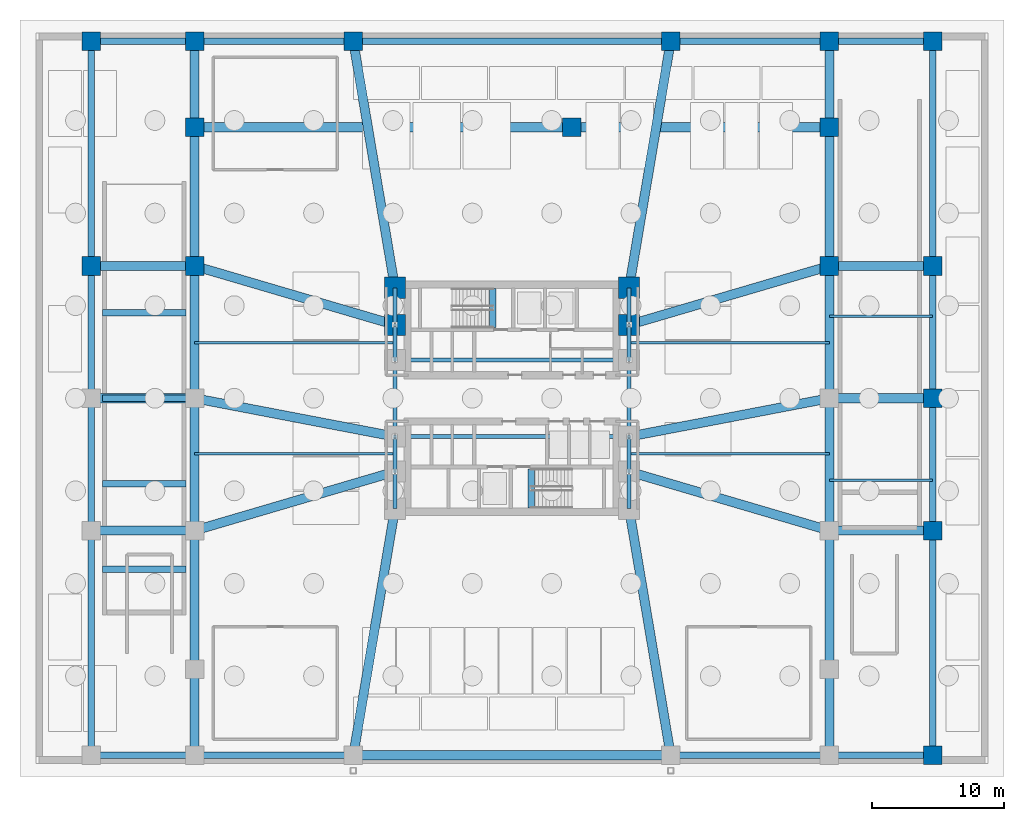
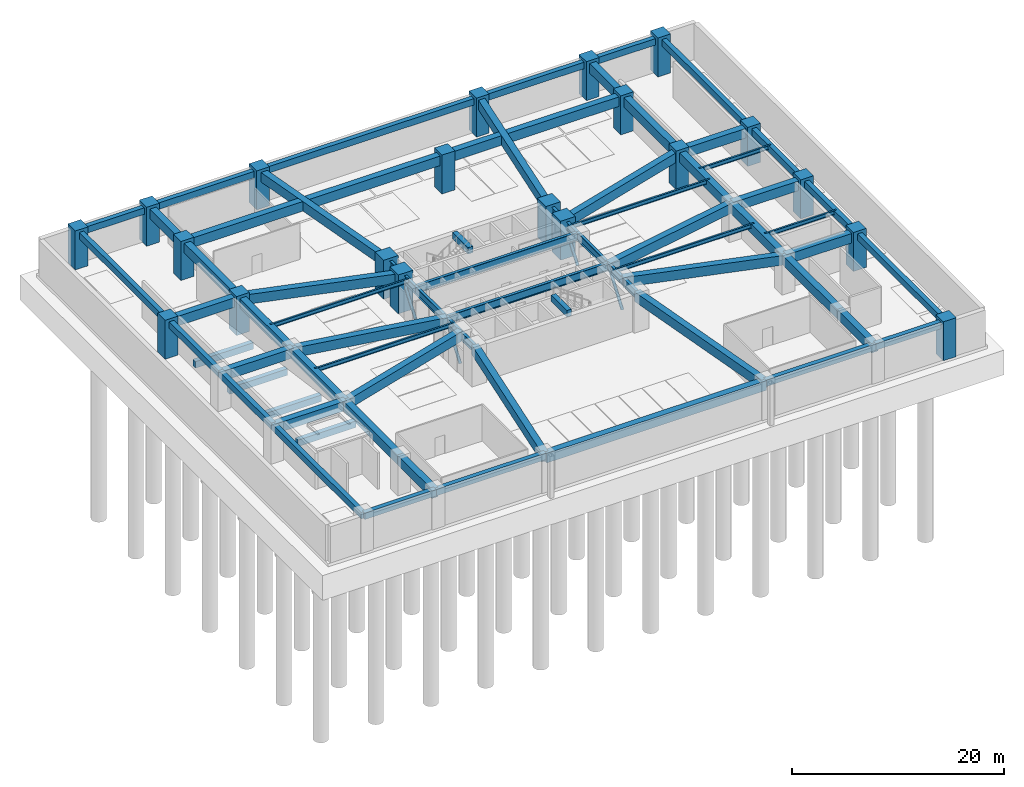
# One storey, part 3 of 14: 72 beams, 20 columns, 4 members.
"""IFC4 building model written with IfcOpenShell, lengths in metres."""

from ifc_helpers import new_model, si_unit, direction, frame, origin, origin_2d, place, context, subcontext, project, spatial, rectangle, hollow_circle, i_section, extrude, material, material_profile, profile_set, type_object, element, save


model = new_model("IFC4")

# Units and contexts
model_context = context("Model", 3, precision=1e-05, world=origin(), true_north=direction((0.0, 1.0)))
body_context = subcontext(model_context, "Body", "Model", "MODEL_VIEW")
ifc_project = project(units=[si_unit("LENGTHUNIT", "METRE"), si_unit("AREAUNIT", "SQUARE_METRE"), si_unit("VOLUMEUNIT", "CUBIC_METRE"), si_unit("PLANEANGLEUNIT", "RADIAN"), si_unit("MASSUNIT", "GRAM", prefix="KILO")], contexts=[model_context])

# Site, building, storey
site_placement = place(None, origin())
site = spatial("IfcSite", under=ifc_project, at=site_placement, CompositionType="ELEMENT")
building_placement = place(site_placement, origin())
building = spatial("IfcBuilding", under=site, at=building_placement, Name="Solmarez Civic Tower", CompositionType="ELEMENT")
storey_placement = place(building_placement, frame((0.0, 0.0, -9.0)))
storey = spatial("IfcBuildingStorey", under=building, at=storey_placement, Name="B2", CompositionType="ELEMENT", Elevation=-9.0)

# Columns
ifc_material_1 = material(Name="Concrete C60/75", Category="concrete")
ifc_material_profile_1 = material_profile(ifc_material_1, rectangle(XDim=1.39990234375, YDim=1.39990234375, at=origin_2d()), Name="RC1400X1400")
ifc_profile_set_1 = profile_set([ifc_material_profile_1], Name="Concrete C60/75")
column_type_1 = type_object("IfcColumnType", Name="COL-RC1400", PredefinedType="COLUMN", material=ifc_profile_set_1)
for number, where, z_axis, x_axis, name in (
    (1, (31.800048828125, -27.0, 0.0), (0.0, 0.0, 1.0), (1.0, 0.0, 0.0), "B2 Structural Column PC06"),
    (2, (-31.800048828125, 27.0, 0.0), (0.0, 0.0, 1.0), (1.0, 0.0, 0.0), "B2 Structural Column PC07"),
    (3, (-24.0, 27.0, 0.0), (0.0, 0.0, 1.0), (1.0, 0.0, 0.0), "B2 Structural Column PC08"),
    (4, (-12.0, 27.0, 0.0), (0.0, 0.0, 1.0), (1.0, 0.0, 0.0), "B2 Structural Column PC09"),
    (5, (12.0, 27.0, 0.0), (0.0, 0.0, 1.0), (1.0, 0.0, 0.0), "B2 Structural Column PC10"),
    (6, (24.0, 27.0, 0.0), (0.0, 0.0, 1.0), (1.0, 0.0, 0.0), "B2 Structural Column PC11"),
    (7, (31.800048828125, 27.0, 0.0), (0.0, 0.0, 1.0), (1.0, 0.0, 0.0), "B2 Structural Column PC12"),
    (8, (-31.800048828125, 10.0, 0.0), (0.0, 0.0, 1.0), (1.0, 0.0, 0.0), "B2 Structural Column PC15"),
    (9, (31.800048828125, -10.0, 0.0), (0.0, 0.0, 1.0), (1.0, 0.0, 0.0), "B2 Structural Column PC16"),
    (10, (31.800048828125, 0.0, 0.0), (0.0, 0.0, 1.0), (1.0, 0.0, 0.0), "B2 Structural Column PC17"),
    (11, (31.800048828125, 10.0, 0.0), (0.0, 0.0, 1.0), (1.0, 0.0, 0.0), "B2 Structural Column PC18"),
    (12, (-24.0, 10.0, 0.0), (0.0, 0.0, 1.0), (1.0, 0.0, 0.0), "B2 Structural Column PC21"),
    (13, (24.0, 10.0, 0.0), (0.0, 0.0, 1.0), (1.0, 0.0, 0.0), "B2 Structural Column PC24"),
    (14, (4.5, 20.5, 0.0), (0.0, 0.0, 1.0), (1.0, 0.0, 0.0), "B2 Structural Column PC25"),
    (15, (-24.0, 20.5, 0.0), (0.0, 0.0, 1.0), (1.0, 0.0, 0.0), "B2 Structural Column PC29"),
    (16, (24.0, 20.5, 0.0), (0.0, 0.0, 1.0), (1.0, 0.0, 0.0), "B2 Structural Column PC30"),
):
    element("IfcColumn", number, at=place(storey_placement, frame(where, z_axis=z_axis, x_axis=x_axis)), inside=storey, type_object=column_type_1, Name=name, PredefinedType="COLUMN", context=body_context, shape_type="SweptSolid", body=[
        extrude(rectangle(XDim=1.39990234375, YDim=1.39990234375, at=origin_2d()), origin(), (0.0, 0.0, 1.0), 4.5),
    ])
ifc_material_profile_2 = material_profile(ifc_material_1, rectangle(XDim=1.60009765625, YDim=1.60009765625, at=origin_2d()), Name="RC1600X1600")
ifc_profile_set_2 = profile_set([ifc_material_profile_2], Name="Concrete C60/75")
column_type_2 = type_object("IfcColumnType", Name="COL-RC1600", PredefinedType="COLUMN", material=ifc_profile_set_2)
for number, where, z_axis, x_axis, name in (
    (17, (-8.85009765625, 5.550048828125, 0.0), (0.0, 0.0, 1.0), (1.0, 0.0, 0.0), "B2 Structural Column HC4"),
    (18, (8.85009765625, 5.550048828125, 0.0), (0.0, 0.0, 1.0), (1.0, 0.0, 0.0), "B2 Structural Column HC8"),
    (19, (-8.85009765625, 8.35009765625, 0.0), (0.0, 0.0, 1.0), (1.0, 0.0, 0.0), "B2 Structural Column HC9"),
    (20, (8.85009765625, 8.35009765625, 0.0), (0.0, 0.0, 1.0), (1.0, 0.0, 0.0), "B2 Structural Column HC11"),
):
    element("IfcColumn", number, at=place(storey_placement, frame(where, z_axis=z_axis, x_axis=x_axis)), inside=storey, type_object=column_type_2, Name=name, PredefinedType="COLUMN", context=body_context, shape_type="SweptSolid", body=[
        extrude(rectangle(XDim=1.60009765625, YDim=1.60009765625, at=origin_2d()), origin(), (0.0, 0.0, 1.0), 4.5),
    ])

# Beams
ifc_material_2 = material(Name="Steel S355", Category="steel")
ifc_material_profile_3 = material_profile(ifc_material_2, i_section(OverallWidth=0.19189453125, OverallDepth=0.462890625, WebThickness=0.010498046875, FlangeThickness=0.017578125, at=origin_2d()), Name="W18X60")
ifc_profile_set_3 = profile_set([ifc_material_profile_3], Name="Steel S355")
beam_type_1 = type_object("IfcBeamType", Name="BM-JS-W18X60", PredefinedType="JOIST", material=ifc_profile_set_3)
for number, where, z_axis, x_axis, name in (
    (21, (-24.0, -4.199951171875, 3.948974609375), (1.0, 0.0, 0.0), (0.0, 1.0, 0.0), "B2 Secondary Floor Joist JS-B2-WM1"),
    (22, (8.85009765625, -4.199951171875, 3.948974609375), (1.0, 0.0, 0.0), (0.0, 1.0, 0.0), "B2 Secondary Floor Joist JS-B2-EM1"),
):
    element("IfcBeam", number, at=place(storey_placement, frame(where, z_axis=z_axis, x_axis=x_axis)), inside=storey, type_object=beam_type_1, Name=name, PredefinedType="JOIST", context=body_context, shape_type="SweptSolid", body=[
        extrude(i_section(OverallWidth=0.19189453125, OverallDepth=0.462890625, WebThickness=0.010498046875, FlangeThickness=0.017578125, at=origin_2d()), origin(), (0.0, 0.0, 1.0), 15.14990234375),
    ])
beam_1_placement = place(storey_placement, frame((24.0, -6.199951171875, 3.948974609375), z_axis=(1.0, 0.0, 0.0), x_axis=(0.0, 1.0, 0.0)))
element("IfcBeam", 23, at=beam_1_placement, inside=storey, type_object=beam_type_1, Name="B2 Secondary Floor Joist JS-B2-EE1", PredefinedType="JOIST", context=body_context, shape_type="SweptSolid", body=[
    extrude(i_section(OverallWidth=0.19189453125, OverallDepth=0.462890625, WebThickness=0.010498046875, FlangeThickness=0.017578125, at=origin_2d()), origin(), (0.0, 0.0, 1.0), 7.800048828125),
])
for number, where, z_axis, x_axis, name in (
    (24, (-24.0, 4.199951171875, 3.948974609375), (1.0, 0.0, 0.0), (0.0, 1.0, 0.0), "B2 Secondary Floor Joist JS-B2-WM2"),
    (25, (8.85009765625, 4.199951171875, 3.948974609375), (1.0, 0.0, 0.0), (0.0, 1.0, 0.0), "B2 Secondary Floor Joist JS-B2-EM2"),
):
    element("IfcBeam", number, at=place(storey_placement, frame(where, z_axis=z_axis, x_axis=x_axis)), inside=storey, type_object=beam_type_1, Name=name, PredefinedType="JOIST", context=body_context, shape_type="SweptSolid", body=[
        extrude(i_section(OverallWidth=0.19189453125, OverallDepth=0.462890625, WebThickness=0.010498046875, FlangeThickness=0.017578125, at=origin_2d()), origin(), (0.0, 0.0, 1.0), 15.14990234375),
    ])
beam_2_placement = place(storey_placement, frame((24.0, 6.199951171875, 3.948974609375), z_axis=(1.0, 0.0, 0.0), x_axis=(0.0, 1.0, 0.0)))
element("IfcBeam", 26, at=beam_2_placement, inside=storey, type_object=beam_type_1, Name="B2 Secondary Floor Joist JS-B2-EE2", PredefinedType="JOIST", context=body_context, shape_type="SweptSolid", body=[
    extrude(i_section(OverallWidth=0.19189453125, OverallDepth=0.462890625, WebThickness=0.010498046875, FlangeThickness=0.017578125, at=origin_2d()), origin(), (0.0, 0.0, 1.0), 7.800048828125),
])
ifc_material_3 = material(Name="Concrete C50/60", Category="concrete")
ifc_material_profile_4 = material_profile(ifc_material_3, rectangle(XDim=0.5, YDim=0.75, at=origin_2d()), Name="RC500X750")
ifc_profile_set_4 = profile_set([ifc_material_profile_4], Name="Concrete C50/60")
beam_type_2 = type_object("IfcBeamType", Name="BM-PR-RC500X750", PredefinedType="BEAM", material=ifc_profile_set_4)
for number, where, z_axis, x_axis, name in (
    (27, (-1.449951171875, 5.340087890625, 4.133056640625), (0.0, 1.0, 0.0), (-1.0, 0.0, 0.0), "B2 North Stair Threshold Beam"),
    (28, (1.449951171875, -8.300048828125, 4.133056640625), (0.0, 1.0, 0.0), (-1.0, 0.0, 0.0), "B2 South Stair Threshold Beam"),
):
    element("IfcBeam", number, at=place(storey_placement, frame(where, z_axis=z_axis, x_axis=x_axis)), inside=storey, type_object=beam_type_2, Name=name, PredefinedType="BEAM", context=body_context, shape_type="SweptSolid", body=[
        extrude(rectangle(XDim=0.5, YDim=0.75, at=origin_2d()), origin(), (0.0, 0.0, 1.0), 2.9599609375),
    ])
for number, where, z_axis, x_axis, name in (
    (29, (-30.949951171875, 6.4599609375, 0.68701171875), (1.0, 0.0, 0.0), (0.0, 1.0, 0.0), "B2 Vehicle Ramp Support Beam SLAB-VR2-1"),
    (30, (-30.949951171875, 0.0, 1.5869140625), (1.0, 0.0, 0.0), (0.0, 1.0, 0.0), "B2 Vehicle Ramp Support Beam SLAB-VR2-2"),
    (31, (-30.949951171875, -6.4599609375, 2.487060546875), (1.0, 0.0, 0.0), (0.0, 1.0, 0.0), "B2 Vehicle Ramp Support Beam SLAB-VR2-3"),
    (32, (-30.949951171875, -12.919921875, 3.386962890625), (1.0, 0.0, 0.0), (0.0, 1.0, 0.0), "B2 Vehicle Ramp Support Beam SLAB-VR2-4"),
):
    element("IfcBeam", number, at=place(storey_placement, frame(where, z_axis=z_axis, x_axis=x_axis)), inside=storey, type_object=beam_type_2, Name=name, PredefinedType="BEAM", context=body_context, shape_type="SweptSolid", body=[
        extrude(rectangle(XDim=0.5, YDim=0.75, at=origin_2d()), origin(), (0.0, 0.0, 1.0), 6.300048828125),
    ])
beam_3_placement = place(storey_placement, frame((-31.800048828125, -27.0, 3.804931640625), z_axis=(1.0, 0.0, 0.0), x_axis=(0.0, 1.0, 0.0)))
element("IfcBeam", 33, at=beam_3_placement, inside=storey, type_object=beam_type_2, Name="B2 Primary Floor Beam BM-B2-PC01-PC02", PredefinedType="BEAM", context=body_context, shape_type="SweptSolid", body=[
    extrude(rectangle(XDim=0.5, YDim=0.75, at=origin_2d()), origin(), (0.0, 0.0, 1.0), 7.800048828125),
])
for number, where, z_axis, x_axis, name in (
    (34, (-24.0, -27.0, 3.804931640625), (1.0, 0.0, 0.0), (0.0, 1.0, 0.0), "B2 Primary Floor Beam BM-B2-PC02-PC03"),
    (35, (12.0, -27.0, 3.804931640625), (1.0, 0.0, 0.0), (0.0, 1.0, 0.0), "B2 Primary Floor Beam BM-B2-PC04-PC05"),
):
    element("IfcBeam", number, at=place(storey_placement, frame(where, z_axis=z_axis, x_axis=x_axis)), inside=storey, type_object=beam_type_2, Name=name, PredefinedType="BEAM", context=body_context, shape_type="SweptSolid", body=[
        extrude(rectangle(XDim=0.5, YDim=0.75, at=origin_2d()), origin(), (0.0, 0.0, 1.0), 12.0),
    ])
for number, where, z_axis, x_axis, name in (
    (36, (24.0, -27.0, 3.804931640625), (1.0, 0.0, 0.0), (0.0, 1.0, 0.0), "B2 Primary Floor Beam BM-B2-PC05-PC06"),
    (37, (-31.800048828125, 27.0, 3.804931640625), (1.0, 0.0, 0.0), (0.0, 1.0, 0.0), "B2 Primary Floor Beam BM-B2-PC07-PC08"),
):
    element("IfcBeam", number, at=place(storey_placement, frame(where, z_axis=z_axis, x_axis=x_axis)), inside=storey, type_object=beam_type_2, Name=name, PredefinedType="BEAM", context=body_context, shape_type="SweptSolid", body=[
        extrude(rectangle(XDim=0.5, YDim=0.75, at=origin_2d()), origin(), (0.0, 0.0, 1.0), 7.800048828125),
    ])
beam_4_placement = place(storey_placement, frame((-24.0, 27.0, 3.804931640625), z_axis=(1.0, 0.0, 0.0), x_axis=(0.0, 1.0, 0.0)))
element("IfcBeam", 38, at=beam_4_placement, inside=storey, type_object=beam_type_2, Name="B2 Primary Floor Beam BM-B2-PC08-PC09", PredefinedType="BEAM", context=body_context, shape_type="SweptSolid", body=[
    extrude(rectangle(XDim=0.5, YDim=0.75, at=origin_2d()), origin(), (0.0, 0.0, 1.0), 12.0),
])
beam_5_placement = place(storey_placement, frame((-12.0, 27.0, 3.804931640625), z_axis=(1.0, 0.0, 0.0), x_axis=(0.0, 1.0, 0.0)))
element("IfcBeam", 39, at=beam_5_placement, inside=storey, type_object=beam_type_2, Name="B2 Primary Floor Beam BM-B2-PC09-PC10", PredefinedType="BEAM", context=body_context, shape_type="SweptSolid", body=[
    extrude(rectangle(XDim=0.5, YDim=0.75, at=origin_2d()), origin(), (0.0, 0.0, 1.0), 24.0),
])
beam_6_placement = place(storey_placement, frame((12.0, 27.0, 3.804931640625), z_axis=(1.0, 0.0, 0.0), x_axis=(0.0, 1.0, 0.0)))
element("IfcBeam", 40, at=beam_6_placement, inside=storey, type_object=beam_type_2, Name="B2 Primary Floor Beam BM-B2-PC10-PC11", PredefinedType="BEAM", context=body_context, shape_type="SweptSolid", body=[
    extrude(rectangle(XDim=0.5, YDim=0.75, at=origin_2d()), origin(), (0.0, 0.0, 1.0), 12.0),
])
beam_7_placement = place(storey_placement, frame((24.0, 27.0, 3.804931640625), z_axis=(1.0, 0.0, 0.0), x_axis=(0.0, 1.0, 0.0)))
element("IfcBeam", 41, at=beam_7_placement, inside=storey, type_object=beam_type_2, Name="B2 Primary Floor Beam BM-B2-PC11-PC12", PredefinedType="BEAM", context=body_context, shape_type="SweptSolid", body=[
    extrude(rectangle(XDim=0.5, YDim=0.75, at=origin_2d()), origin(), (0.0, 0.0, 1.0), 7.800048828125),
])
beam_8_placement = place(storey_placement, frame((-31.800048828125, -27.0, 3.804931640625), z_axis=(0.0, 1.0, 0.0), x_axis=(-1.0, 0.0, 0.0)))
element("IfcBeam", 42, at=beam_8_placement, inside=storey, type_object=beam_type_2, Name="B2 Primary Floor Beam BM-B2-PC01-PC13", PredefinedType="BEAM", context=body_context, shape_type="SweptSolid", body=[
    extrude(rectangle(XDim=0.5, YDim=0.75, at=origin_2d()), origin(), (0.0, 0.0, 1.0), 17.0),
])
for number, where, z_axis, x_axis, name in (
    (43, (-31.800048828125, -10.0, 3.804931640625), (0.0, 1.0, 0.0), (-1.0, 0.0, 0.0), "B2 Primary Floor Beam BM-B2-PC13-PC14"),
    (44, (-31.800048828125, 0.0, 3.804931640625), (0.0, 1.0, 0.0), (-1.0, 0.0, 0.0), "B2 Primary Floor Beam BM-B2-PC14-PC15"),
):
    element("IfcBeam", number, at=place(storey_placement, frame(where, z_axis=z_axis, x_axis=x_axis)), inside=storey, type_object=beam_type_2, Name=name, PredefinedType="BEAM", context=body_context, shape_type="SweptSolid", body=[
        extrude(rectangle(XDim=0.5, YDim=0.75, at=origin_2d()), origin(), (0.0, 0.0, 1.0), 10.0),
    ])
for number, where, z_axis, x_axis, name in (
    (45, (-31.800048828125, 10.0, 3.804931640625), (0.0, 1.0, 0.0), (-1.0, 0.0, 0.0), "B2 Primary Floor Beam BM-B2-PC15-PC07"),
    (46, (31.800048828125, -27.0, 3.804931640625), (0.0, 1.0, 0.0), (-1.0, 0.0, 0.0), "B2 Primary Floor Beam BM-B2-PC06-PC16"),
):
    element("IfcBeam", number, at=place(storey_placement, frame(where, z_axis=z_axis, x_axis=x_axis)), inside=storey, type_object=beam_type_2, Name=name, PredefinedType="BEAM", context=body_context, shape_type="SweptSolid", body=[
        extrude(rectangle(XDim=0.5, YDim=0.75, at=origin_2d()), origin(), (0.0, 0.0, 1.0), 17.0),
    ])
for number, where, z_axis, x_axis, name in (
    (47, (31.800048828125, -10.0, 3.804931640625), (0.0, 1.0, 0.0), (-1.0, 0.0, 0.0), "B2 Primary Floor Beam BM-B2-PC16-PC17"),
    (48, (31.800048828125, 0.0, 3.804931640625), (0.0, 1.0, 0.0), (-1.0, 0.0, 0.0), "B2 Primary Floor Beam BM-B2-PC17-PC18"),
):
    element("IfcBeam", number, at=place(storey_placement, frame(where, z_axis=z_axis, x_axis=x_axis)), inside=storey, type_object=beam_type_2, Name=name, PredefinedType="BEAM", context=body_context, shape_type="SweptSolid", body=[
        extrude(rectangle(XDim=0.5, YDim=0.75, at=origin_2d()), origin(), (0.0, 0.0, 1.0), 10.0),
    ])
beam_9_placement = place(storey_placement, frame((31.800048828125, 10.0, 3.804931640625), z_axis=(0.0, 1.0, 0.0), x_axis=(-1.0, 0.0, 0.0)))
element("IfcBeam", 49, at=beam_9_placement, inside=storey, type_object=beam_type_2, Name="B2 Primary Floor Beam BM-B2-PC18-PC12", PredefinedType="BEAM", context=body_context, shape_type="SweptSolid", body=[
    extrude(rectangle(XDim=0.5, YDim=0.75, at=origin_2d()), origin(), (0.0, 0.0, 1.0), 17.0),
])
ifc_material_profile_5 = material_profile(ifc_material_3, rectangle(XDim=0.699951171875, YDim=1.10009765625, at=origin_2d()), Name="RC700X1100")
ifc_profile_set_5 = profile_set([ifc_material_profile_5], Name="Concrete C50/60")
beam_type_3 = type_object("IfcBeamType", Name="BM-PR-RC700X1100", PredefinedType="BEAM", material=ifc_profile_set_5)
beam_10_placement = place(storey_placement, frame((-12.0, -27.0, 3.6298828125), z_axis=(1.0, 0.0, 0.0), x_axis=(0.0, 1.0, 0.0)))
element("IfcBeam", 50, at=beam_10_placement, inside=storey, type_object=beam_type_3, Name="B2 Primary Floor Beam BM-B2-PC03-PC04", PredefinedType="BEAM", context=body_context, shape_type="SweptSolid", body=[
    extrude(rectangle(XDim=0.699951171875, YDim=1.10009765625, at=origin_2d()), origin(), (0.0, 0.0, 1.0), 24.0),
])
beam_11_placement = place(storey_placement, frame((-24.0, 20.5, 3.6298828125), z_axis=(1.0, 0.0, 0.0), x_axis=(0.0, 1.0, 0.0)))
element("IfcBeam", 51, at=beam_11_placement, inside=storey, type_object=beam_type_3, Name="B2 Primary Floor Beam BM-B2-PC29-PC25", PredefinedType="BEAM", context=body_context, shape_type="SweptSolid", body=[
    extrude(rectangle(XDim=0.699951171875, YDim=1.10009765625, at=origin_2d()), origin(), (0.0, 0.0, 1.0), 28.5),
])
beam_12_placement = place(storey_placement, frame((4.5, 20.5, 3.6298828125), z_axis=(1.0, 0.0, 0.0), x_axis=(0.0, 1.0, 0.0)))
element("IfcBeam", 52, at=beam_12_placement, inside=storey, type_object=beam_type_3, Name="B2 Primary Floor Beam BM-B2-PC25-PC30", PredefinedType="BEAM", context=body_context, shape_type="SweptSolid", body=[
    extrude(rectangle(XDim=0.699951171875, YDim=1.10009765625, at=origin_2d()), origin(), (0.0, 0.0, 1.0), 19.5),
])
beam_13_placement = place(storey_placement, frame((-24.0, -27.0, 3.6298828125), z_axis=(0.0, 1.0, 0.0), x_axis=(-1.0, 0.0, 0.0)))
element("IfcBeam", 53, at=beam_13_placement, inside=storey, type_object=beam_type_3, Name="B2 Primary Floor Beam BM-B2-PC02-PC27", PredefinedType="BEAM", context=body_context, shape_type="SweptSolid", body=[
    extrude(rectangle(XDim=0.699951171875, YDim=1.10009765625, at=origin_2d()), origin(), (0.0, 0.0, 1.0), 6.5),
])
beam_14_placement = place(storey_placement, frame((-24.0, -20.5, 3.6298828125), z_axis=(0.0, 1.0, 0.0), x_axis=(-1.0, 0.0, 0.0)))
element("IfcBeam", 54, at=beam_14_placement, inside=storey, type_object=beam_type_3, Name="B2 Primary Floor Beam BM-B2-PC27-PC19", PredefinedType="BEAM", context=body_context, shape_type="SweptSolid", body=[
    extrude(rectangle(XDim=0.699951171875, YDim=1.10009765625, at=origin_2d()), origin(), (0.0, 0.0, 1.0), 10.5),
])
for number, where, z_axis, x_axis, name in (
    (55, (-24.0, -10.0, 3.6298828125), (0.0, 1.0, 0.0), (-1.0, 0.0, 0.0), "B2 Primary Floor Beam BM-B2-PC19-PC20"),
    (56, (-24.0, 0.0, 3.6298828125), (0.0, 1.0, 0.0), (-1.0, 0.0, 0.0), "B2 Primary Floor Beam BM-B2-PC20-PC21"),
):
    element("IfcBeam", number, at=place(storey_placement, frame(where, z_axis=z_axis, x_axis=x_axis)), inside=storey, type_object=beam_type_3, Name=name, PredefinedType="BEAM", context=body_context, shape_type="SweptSolid", body=[
        extrude(rectangle(XDim=0.699951171875, YDim=1.10009765625, at=origin_2d()), origin(), (0.0, 0.0, 1.0), 10.0),
    ])
beam_15_placement = place(storey_placement, frame((-24.0, 10.0, 3.6298828125), z_axis=(0.0, 1.0, 0.0), x_axis=(-1.0, 0.0, 0.0)))
element("IfcBeam", 57, at=beam_15_placement, inside=storey, type_object=beam_type_3, Name="B2 Primary Floor Beam BM-B2-PC21-PC29", PredefinedType="BEAM", context=body_context, shape_type="SweptSolid", body=[
    extrude(rectangle(XDim=0.699951171875, YDim=1.10009765625, at=origin_2d()), origin(), (0.0, 0.0, 1.0), 10.5),
])
for number, where, z_axis, x_axis, name in (
    (58, (-24.0, 20.5, 3.6298828125), (0.0, 1.0, 0.0), (-1.0, 0.0, 0.0), "B2 Primary Floor Beam BM-B2-PC29-PC08"),
    (59, (24.0, -27.0, 3.6298828125), (0.0, 1.0, 0.0), (-1.0, 0.0, 0.0), "B2 Primary Floor Beam BM-B2-PC05-PC28"),
):
    element("IfcBeam", number, at=place(storey_placement, frame(where, z_axis=z_axis, x_axis=x_axis)), inside=storey, type_object=beam_type_3, Name=name, PredefinedType="BEAM", context=body_context, shape_type="SweptSolid", body=[
        extrude(rectangle(XDim=0.699951171875, YDim=1.10009765625, at=origin_2d()), origin(), (0.0, 0.0, 1.0), 6.5),
    ])
beam_16_placement = place(storey_placement, frame((24.0, -20.5, 3.6298828125), z_axis=(0.0, 1.0, 0.0), x_axis=(-1.0, 0.0, 0.0)))
element("IfcBeam", 60, at=beam_16_placement, inside=storey, type_object=beam_type_3, Name="B2 Primary Floor Beam BM-B2-PC28-PC22", PredefinedType="BEAM", context=body_context, shape_type="SweptSolid", body=[
    extrude(rectangle(XDim=0.699951171875, YDim=1.10009765625, at=origin_2d()), origin(), (0.0, 0.0, 1.0), 10.5),
])
for number, where, z_axis, x_axis, name in (
    (61, (24.0, -10.0, 3.6298828125), (0.0, 1.0, 0.0), (-1.0, 0.0, 0.0), "B2 Primary Floor Beam BM-B2-PC22-PC23"),
    (62, (24.0, 0.0, 3.6298828125), (0.0, 1.0, 0.0), (-1.0, 0.0, 0.0), "B2 Primary Floor Beam BM-B2-PC23-PC24"),
):
    element("IfcBeam", number, at=place(storey_placement, frame(where, z_axis=z_axis, x_axis=x_axis)), inside=storey, type_object=beam_type_3, Name=name, PredefinedType="BEAM", context=body_context, shape_type="SweptSolid", body=[
        extrude(rectangle(XDim=0.699951171875, YDim=1.10009765625, at=origin_2d()), origin(), (0.0, 0.0, 1.0), 10.0),
    ])
beam_17_placement = place(storey_placement, frame((24.0, 10.0, 3.6298828125), z_axis=(0.0, 1.0, 0.0), x_axis=(-1.0, 0.0, 0.0)))
element("IfcBeam", 63, at=beam_17_placement, inside=storey, type_object=beam_type_3, Name="B2 Primary Floor Beam BM-B2-PC24-PC30", PredefinedType="BEAM", context=body_context, shape_type="SweptSolid", body=[
    extrude(rectangle(XDim=0.699951171875, YDim=1.10009765625, at=origin_2d()), origin(), (0.0, 0.0, 1.0), 10.5),
])
beam_18_placement = place(storey_placement, frame((24.0, 20.5, 3.6298828125), z_axis=(0.0, 1.0, 0.0), x_axis=(-1.0, 0.0, 0.0)))
element("IfcBeam", 64, at=beam_18_placement, inside=storey, type_object=beam_type_3, Name="B2 Primary Floor Beam BM-B2-PC30-PC11", PredefinedType="BEAM", context=body_context, shape_type="SweptSolid", body=[
    extrude(rectangle(XDim=0.699951171875, YDim=1.10009765625, at=origin_2d()), origin(), (0.0, 0.0, 1.0), 6.5),
])
for number, where, z_axis, x_axis, name in (
    (65, (-31.800048828125, -10.0, 3.6298828125), (1.0, 0.0, 0.0), (0.0, 1.0, 0.0), "B2 Primary Floor Beam BM-B2-PC13-PC19"),
    (66, (-31.800048828125, 0.0, 3.6298828125), (1.0, 0.0, 0.0), (0.0, 1.0, 0.0), "B2 Primary Floor Beam BM-B2-PC14-PC20"),
    (67, (-31.800048828125, 10.0, 3.6298828125), (1.0, 0.0, 0.0), (0.0, 1.0, 0.0), "B2 Primary Floor Beam BM-B2-PC15-PC21"),
    (68, (31.800048828125, -10.0, 3.6298828125), (-1.0, 0.0, 0.0), (0.0, -1.0, 0.0), "B2 Primary Floor Beam BM-B2-PC16-PC22"),
    (69, (31.800048828125, 0.0, 3.6298828125), (-1.0, 0.0, 0.0), (0.0, -1.0, 0.0), "B2 Primary Floor Beam BM-B2-PC17-PC23"),
    (70, (31.800048828125, 10.0, 3.6298828125), (-1.0, 0.0, 0.0), (0.0, -1.0, 0.0), "B2 Primary Floor Beam BM-B2-PC18-PC24"),
):
    element("IfcBeam", number, at=place(storey_placement, frame(where, z_axis=z_axis, x_axis=x_axis)), inside=storey, type_object=beam_type_3, Name=name, PredefinedType="BEAM", context=body_context, shape_type="SweptSolid", body=[
        extrude(rectangle(XDim=0.699951171875, YDim=1.10009765625, at=origin_2d()), origin(), (0.0, 0.0, 1.0), 7.800048828125),
    ])
beam_19_placement = place(storey_placement, frame((-24.0, -10.0, 3.6298828125), z_axis=(0.959466630969, 0.281822256143, 0.0), x_axis=(-0.281822256143, 0.959466630969, 0.0)))
element("IfcBeam", 71, at=beam_19_placement, inside=storey, type_object=beam_type_3, Name="B2 Primary Floor Beam BM-B2-PC19-HC1", PredefinedType="BEAM", context=body_context, shape_type="SweptSolid", body=[
    extrude(rectangle(XDim=0.699951171875, YDim=1.10009765625, at=origin_2d()), origin(), (0.0, 0.0, 1.0), 15.7900390625),
])
beam_20_placement = place(storey_placement, frame((-24.0, 0.0, 3.6298828125), z_axis=(0.982168874333, -0.188000803966, 0.0), x_axis=(0.188000803966, 0.982168874333, 0.0)))
element("IfcBeam", 72, at=beam_20_placement, inside=storey, type_object=beam_type_3, Name="B2 Primary Floor Beam BM-B2-PC20-HC2", PredefinedType="BEAM", context=body_context, shape_type="SweptSolid", body=[
    extrude(rectangle(XDim=0.699951171875, YDim=1.10009765625, at=origin_2d()), origin(), (0.0, 0.0, 1.0), 15.425048828125),
])
for number, where, z_axis, x_axis, name in (
    (73, (-24.0, 10.0, 3.6298828125), (0.959466630969, -0.281822256143, 0.0), (0.281822256143, 0.959466630969, 0.0), "B2 Primary Floor Beam BM-B2-PC21-HC4"),
    (74, (24.0, -10.0, 3.6298828125), (-0.959466630969, 0.281822256143, 0.0), (-0.281822256143, -0.959466630969, 0.0), "B2 Primary Floor Beam BM-B2-PC22-HC5"),
):
    element("IfcBeam", number, at=place(storey_placement, frame(where, z_axis=z_axis, x_axis=x_axis)), inside=storey, type_object=beam_type_3, Name=name, PredefinedType="BEAM", context=body_context, shape_type="SweptSolid", body=[
        extrude(rectangle(XDim=0.699951171875, YDim=1.10009765625, at=origin_2d()), origin(), (0.0, 0.0, 1.0), 15.7900390625),
    ])
beam_21_placement = place(storey_placement, frame((24.0, 0.0, 3.6298828125), z_axis=(-0.982168874333, -0.188000803966, 0.0), x_axis=(0.188000803966, -0.982168874333, 0.0)))
element("IfcBeam", 75, at=beam_21_placement, inside=storey, type_object=beam_type_3, Name="B2 Primary Floor Beam BM-B2-PC23-HC6", PredefinedType="BEAM", context=body_context, shape_type="SweptSolid", body=[
    extrude(rectangle(XDim=0.699951171875, YDim=1.10009765625, at=origin_2d()), origin(), (0.0, 0.0, 1.0), 15.425048828125),
])
beam_22_placement = place(storey_placement, frame((24.0, 10.0, 3.6298828125), z_axis=(-0.959466630969, -0.281822256143, 0.0), x_axis=(0.281822256143, -0.959466630969, 0.0)))
element("IfcBeam", 76, at=beam_22_placement, inside=storey, type_object=beam_type_3, Name="B2 Primary Floor Beam BM-B2-PC24-HC8", PredefinedType="BEAM", context=body_context, shape_type="SweptSolid", body=[
    extrude(rectangle(XDim=0.699951171875, YDim=1.10009765625, at=origin_2d()), origin(), (0.0, 0.0, 1.0), 15.7900390625),
])
for number, where, z_axis, x_axis, name in (
    (77, (-12.0, -27.0, 3.6298828125), (0.166537824737, 0.986035066786, 0.0), (-0.986035066786, 0.166537824737, 0.0), "B2 Primary Floor Beam BM-B2-PC03-HC12"),
    (78, (12.0, -27.0, 3.6298828125), (-0.166537824737, 0.986035066786, 0.0), (-0.986035066786, -0.166537824737, 0.0), "B2 Primary Floor Beam BM-B2-PC04-HC10"),
    (79, (-12.0, 27.0, 3.6298828125), (0.166537824737, -0.986035066786, 0.0), (0.986035066786, 0.166537824737, 0.0), "B2 Primary Floor Beam BM-B2-PC09-HC9"),
    (80, (12.0, 27.0, 3.6298828125), (-0.166537824737, -0.986035066786, 0.0), (0.986035066786, -0.166537824737, 0.0), "B2 Primary Floor Beam BM-B2-PC10-HC11"),
):
    element("IfcBeam", number, at=place(storey_placement, frame(where, z_axis=z_axis, x_axis=x_axis)), inside=storey, type_object=beam_type_3, Name=name, PredefinedType="BEAM", context=body_context, shape_type="SweptSolid", body=[
        extrude(rectangle(XDim=0.699951171875, YDim=1.10009765625, at=origin_2d()), origin(), (0.0, 0.0, 1.0), 18.9140625),
    ])
ifc_material_profile_6 = material_profile(ifc_material_2, i_section(OverallWidth=0.306884765625, OverallDepth=0.927001953125, WebThickness=0.019287109375, FlangeThickness=0.031982421875, at=origin_2d()), Name="W36X194")
ifc_profile_set_6 = profile_set([ifc_material_profile_6], Name="Steel S355")
beam_type_4 = type_object("IfcBeamType", Name="BM-PR-W36X194", PredefinedType="BEAM", material=ifc_profile_set_6)
beam_23_placement = place(storey_placement, frame((-8.85009765625, -8.35009765625, 3.716064453125), z_axis=(0.0, 1.0, 0.0), x_axis=(-1.0, 0.0, 0.0)))
element("IfcBeam", 81, at=beam_23_placement, inside=storey, type_object=beam_type_4, Name="B2 Primary Floor Beam BM-B2-HC12-HC1", PredefinedType="BEAM", context=body_context, shape_type="SweptSolid", body=[
    extrude(i_section(OverallWidth=0.306884765625, OverallDepth=0.927001953125, WebThickness=0.019287109375, FlangeThickness=0.031982421875, at=origin_2d()), origin(), (0.0, 0.0, 1.0), 2.800048828125),
])
beam_24_placement = place(storey_placement, frame((-8.85009765625, -5.550048828125, 3.716064453125), z_axis=(0.0, 1.0, 0.0), x_axis=(-1.0, 0.0, 0.0)))
element("IfcBeam", 82, at=beam_24_placement, inside=storey, type_object=beam_type_4, Name="B2 Primary Floor Beam BM-B2-HC1-HC2", PredefinedType="BEAM", context=body_context, shape_type="SweptSolid", body=[
    extrude(i_section(OverallWidth=0.306884765625, OverallDepth=0.927001953125, WebThickness=0.019287109375, FlangeThickness=0.031982421875, at=origin_2d()), origin(), (0.0, 0.0, 1.0), 2.650146484375),
])
beam_25_placement = place(storey_placement, frame((-8.85009765625, -2.89990234375, 3.716064453125), z_axis=(0.0, 1.0, 0.0), x_axis=(-1.0, 0.0, 0.0)))
element("IfcBeam", 83, at=beam_25_placement, inside=storey, type_object=beam_type_4, Name="B2 Primary Floor Beam BM-B2-HC2-HC3", PredefinedType="BEAM", context=body_context, shape_type="SweptSolid", body=[
    extrude(i_section(OverallWidth=0.306884765625, OverallDepth=0.927001953125, WebThickness=0.019287109375, FlangeThickness=0.031982421875, at=origin_2d()), origin(), (0.0, 0.0, 1.0), 5.7998046875),
])
beam_26_placement = place(storey_placement, frame((-8.85009765625, 2.89990234375, 3.716064453125), z_axis=(0.0, 1.0, 0.0), x_axis=(-1.0, 0.0, 0.0)))
element("IfcBeam", 84, at=beam_26_placement, inside=storey, type_object=beam_type_4, Name="B2 Primary Floor Beam BM-B2-HC3-HC4", PredefinedType="BEAM", context=body_context, shape_type="SweptSolid", body=[
    extrude(i_section(OverallWidth=0.306884765625, OverallDepth=0.927001953125, WebThickness=0.019287109375, FlangeThickness=0.031982421875, at=origin_2d()), origin(), (0.0, 0.0, 1.0), 2.650146484375),
])
for number, where, z_axis, x_axis, name in (
    (85, (-8.85009765625, 5.550048828125, 3.716064453125), (0.0, 1.0, 0.0), (-1.0, 0.0, 0.0), "B2 Primary Floor Beam BM-B2-HC4-HC9"),
    (86, (8.85009765625, -8.35009765625, 3.716064453125), (0.0, 1.0, 0.0), (-1.0, 0.0, 0.0), "B2 Primary Floor Beam BM-B2-HC10-HC5"),
):
    element("IfcBeam", number, at=place(storey_placement, frame(where, z_axis=z_axis, x_axis=x_axis)), inside=storey, type_object=beam_type_4, Name=name, PredefinedType="BEAM", context=body_context, shape_type="SweptSolid", body=[
        extrude(i_section(OverallWidth=0.306884765625, OverallDepth=0.927001953125, WebThickness=0.019287109375, FlangeThickness=0.031982421875, at=origin_2d()), origin(), (0.0, 0.0, 1.0), 2.800048828125),
    ])
beam_27_placement = place(storey_placement, frame((8.85009765625, -5.550048828125, 3.716064453125), z_axis=(0.0, 1.0, 0.0), x_axis=(-1.0, 0.0, 0.0)))
element("IfcBeam", 87, at=beam_27_placement, inside=storey, type_object=beam_type_4, Name="B2 Primary Floor Beam BM-B2-HC5-HC6", PredefinedType="BEAM", context=body_context, shape_type="SweptSolid", body=[
    extrude(i_section(OverallWidth=0.306884765625, OverallDepth=0.927001953125, WebThickness=0.019287109375, FlangeThickness=0.031982421875, at=origin_2d()), origin(), (0.0, 0.0, 1.0), 2.650146484375),
])
beam_28_placement = place(storey_placement, frame((8.85009765625, -2.89990234375, 3.716064453125), z_axis=(0.0, 1.0, 0.0), x_axis=(-1.0, 0.0, 0.0)))
element("IfcBeam", 88, at=beam_28_placement, inside=storey, type_object=beam_type_4, Name="B2 Primary Floor Beam BM-B2-HC6-HC7", PredefinedType="BEAM", context=body_context, shape_type="SweptSolid", body=[
    extrude(i_section(OverallWidth=0.306884765625, OverallDepth=0.927001953125, WebThickness=0.019287109375, FlangeThickness=0.031982421875, at=origin_2d()), origin(), (0.0, 0.0, 1.0), 5.7998046875),
])
beam_29_placement = place(storey_placement, frame((8.85009765625, 2.89990234375, 3.716064453125), z_axis=(0.0, 1.0, 0.0), x_axis=(-1.0, 0.0, 0.0)))
element("IfcBeam", 89, at=beam_29_placement, inside=storey, type_object=beam_type_4, Name="B2 Primary Floor Beam BM-B2-HC7-HC8", PredefinedType="BEAM", context=body_context, shape_type="SweptSolid", body=[
    extrude(i_section(OverallWidth=0.306884765625, OverallDepth=0.927001953125, WebThickness=0.019287109375, FlangeThickness=0.031982421875, at=origin_2d()), origin(), (0.0, 0.0, 1.0), 2.650146484375),
])
beam_30_placement = place(storey_placement, frame((8.85009765625, 5.550048828125, 3.716064453125), z_axis=(0.0, 1.0, 0.0), x_axis=(-1.0, 0.0, 0.0)))
element("IfcBeam", 90, at=beam_30_placement, inside=storey, type_object=beam_type_4, Name="B2 Primary Floor Beam BM-B2-HC8-HC11", PredefinedType="BEAM", context=body_context, shape_type="SweptSolid", body=[
    extrude(i_section(OverallWidth=0.306884765625, OverallDepth=0.927001953125, WebThickness=0.019287109375, FlangeThickness=0.031982421875, at=origin_2d()), origin(), (0.0, 0.0, 1.0), 2.800048828125),
])
for number, where, z_axis, x_axis, name in (
    (91, (-8.85009765625, -2.89990234375, 3.716064453125), (1.0, 0.0, 0.0), (0.0, 1.0, 0.0), "B2 Primary Floor Beam BM-B2-HC2-HC6"),
    (92, (-8.85009765625, 2.89990234375, 3.716064453125), (1.0, 0.0, 0.0), (0.0, 1.0, 0.0), "B2 Primary Floor Beam BM-B2-HC3-HC7"),
):
    element("IfcBeam", number, at=place(storey_placement, frame(where, z_axis=z_axis, x_axis=x_axis)), inside=storey, type_object=beam_type_4, Name=name, PredefinedType="BEAM", context=body_context, shape_type="SweptSolid", body=[
        extrude(i_section(OverallWidth=0.306884765625, OverallDepth=0.927001953125, WebThickness=0.019287109375, FlangeThickness=0.031982421875, at=origin_2d()), origin(), (0.0, 0.0, 1.0), 17.7001953125),
    ])

# Members
ifc_material_profile_7 = material_profile(ifc_material_2, hollow_circle(Radius=0.162109375, WallThickness=0.011962890625, at=origin_2d()), Name="CHS324X12")
ifc_profile_set_7 = profile_set([ifc_material_profile_7], Name="Steel S355")
member_type = type_object("IfcMemberType", Name="MEM-BRC-CHS324", PredefinedType="BRACE", material=ifc_profile_set_7)
for number, where, z_axis, x_axis, name in (
    (93, (-8.85009765625, -5.550048828125, 0.25), (0.0, 0.592828251288, 0.80532891695), (-1.0, 0.0, 0.0), "B2 Core Spine Brace 1"),
    (94, (-8.85009765625, 2.89990234375, 0.25), (0.0, 0.592828251288, 0.80532891695), (-1.0, 0.0, 0.0), "B2 Core Spine Brace 2"),
    (95, (8.85009765625, -5.550048828125, 0.25), (0.0, 0.592828251288, 0.80532891695), (-1.0, 0.0, 0.0), "B2 Core Spine Brace 3"),
    (96, (8.85009765625, 2.89990234375, 0.25), (0.0, 0.592828251288, 0.80532891695), (-1.0, 0.0, 0.0), "B2 Core Spine Brace 4"),
):
    element("IfcMember", number, at=place(storey_placement, frame(where, z_axis=z_axis, x_axis=x_axis)), inside=storey, type_object=member_type, Name=name, PredefinedType="BRACE", context=body_context, shape_type="SweptSolid", body=[
        extrude(hollow_circle(Radius=0.162109375, WallThickness=0.011962890625, at=origin_2d()), origin(), (0.0, 0.0, 1.0), 4.470458984375),
    ])

save(model, "model.ifc")
